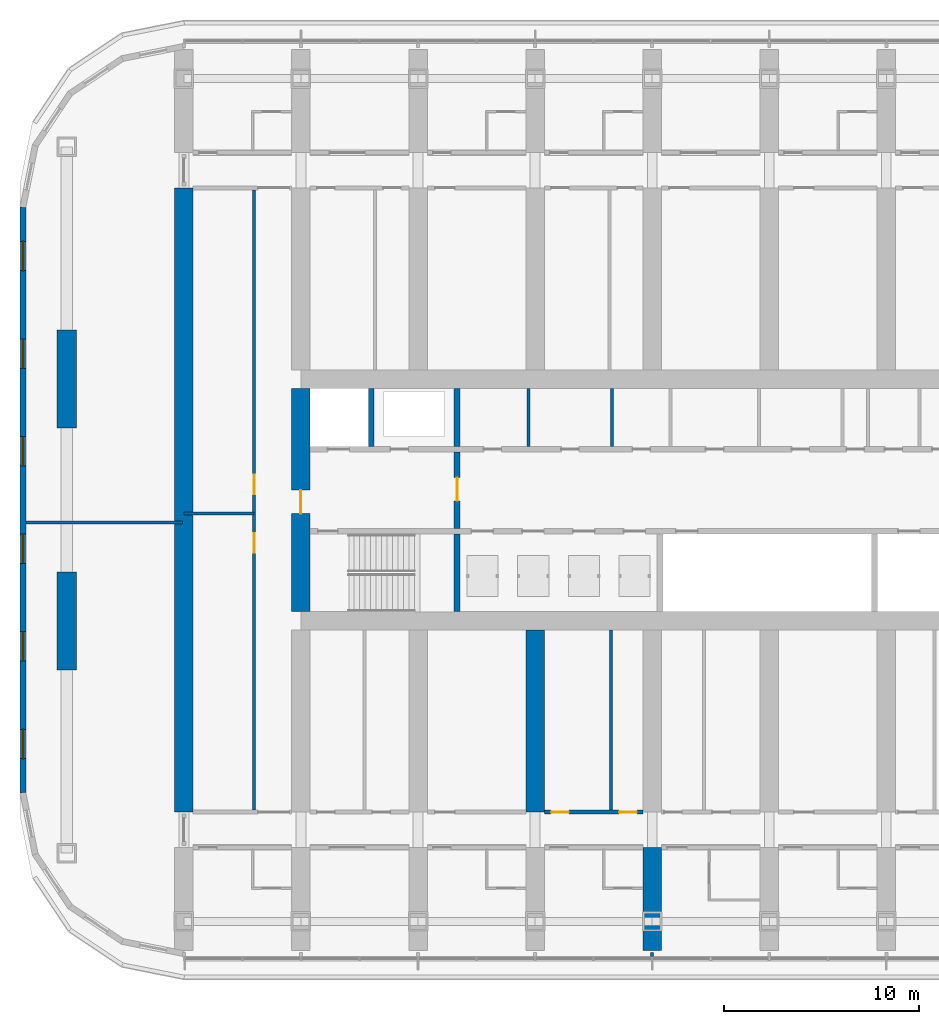
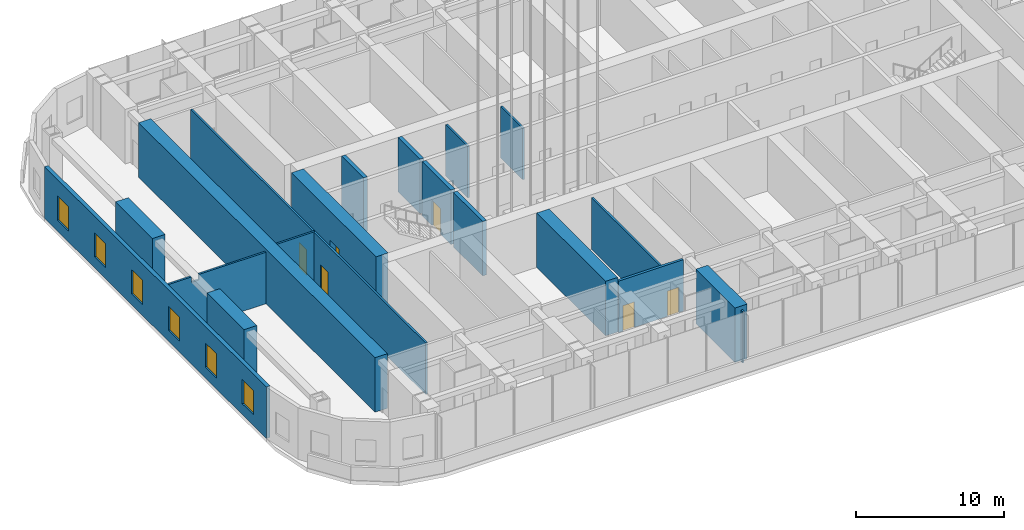
# One storey, part 8 of 31: 19 walls, 6 doors, 6 windows, 12 openings.
"""IFC4 building model written with IfcOpenShell, lengths in metres."""

from ifc_helpers import new_model, si_unit, direction, frame, frame_2d, origin, place, context, subcontext, project, spatial, polyline, rectangle, outline, extrude, material, layer, layer_set, type_object, element, fill, save


model = new_model("IFC4")

# Units and contexts
model_context = context("Model", 3, precision=1e-05, world=origin(), true_north=direction((0.0, 1.0)))
body_context = subcontext(model_context, "Body", "Model", "MODEL_VIEW")
ifc_project = project(units=[si_unit("LENGTHUNIT", "METRE"), si_unit("AREAUNIT", "SQUARE_METRE"), si_unit("VOLUMEUNIT", "CUBIC_METRE"), si_unit("PLANEANGLEUNIT", "RADIAN"), si_unit("MASSUNIT", "GRAM", prefix="KILO")], contexts=[model_context])

# Site, building, storey
site_placement = place(None, origin())
site = spatial("IfcSite", under=ifc_project, at=site_placement, CompositionType="ELEMENT")
building_placement = place(site_placement, origin())
building = spatial("IfcBuilding", under=site, at=building_placement, Name="Orbita Commons", CompositionType="ELEMENT")
storey_placement = place(building_placement, frame((0.0, 0.0, 76.14990234375)))
storey = spatial("IfcBuildingStorey", under=building, at=storey_placement, Name="L18", CompositionType="ELEMENT", Elevation=76.14990234375)

# Wall
ifc_material_1 = material(Name="Concrete C50/60", Category="concrete")
ifc_layer_1 = layer(ifc_material_1, 0.300048828125)
ifc_layer_set_1 = layer_set([ifc_layer_1], Name="Concrete C50/60")
wall_type_1 = type_object("IfcWallType", Name="Core inner wall 300 C50/60", PredefinedType="SHEAR", material=ifc_layer_set_1)
wall_1_placement = place(storey_placement, frame((26.0, 26.27490234375, 0.0), z_axis=(0.0, 0.0, 1.0), x_axis=(0.0, 1.0, 0.0)))
element("IfcWall", 1, at=wall_1_placement, inside=storey, type_object=wall_type_1, Name="Stair S1 wall L18", PredefinedType="SHEAR", context=body_context, shape_type="SweptSolid", body=[
    extrude(rectangle(XDim=3.97509765625, YDim=0.300048828125, at=frame_2d((1.987548828125, 0.0))), origin(), (0.0, 0.0, 1.0), 4.5),
])

# Wall, opening, door
wall_2_placement = place(storey_placement, frame((26.0, 30.550048828125, 0.0), z_axis=(0.0, 0.0, 1.0), x_axis=(0.0, 1.0, 0.0)))
wall_2 = element("IfcWall", 2, at=wall_2_placement, inside=storey, type_object=wall_type_1, Name="Firefighting lobby wall west L18", PredefinedType="SHEAR", context=body_context, shape_type="SweptSolid", body=[
    extrude(rectangle(XDim=3.89990234375, YDim=0.300048828125, at=frame_2d((1.949951171875, 0.0))), origin(), (0.0, 0.0, 1.0), 4.5),
])
opening_1_placement = place(wall_2_placement, frame((1.39990234375, 0.0, 0.0)))
opening_1 = element("IfcOpeningElement", 3, at=opening_1_placement, cuts=wall_2, Name="Opening D04", PredefinedType="OPENING", context=body_context, shape_type="SweptSolid", body=[
    extrude(rectangle(XDim=1.199951171875, YDim=2.10009765625, at=frame_2d((0.60009765625, 1.050048828125))), frame((0.0, 0.159912109375, 0.0), z_axis=(0.0, -1.0, 0.0), x_axis=(1.0, 0.0, 0.0)), (0.0, 0.0, 1.0), 0.320068359375),
])
ifc_material_2 = material(Name="Steel-faced fire door leaf", Category="steel")
door_type_1 = type_object("IfcDoorType", Name="Service door 20 min 1200x2100", OperationType="SINGLE_SWING_LEFT", PredefinedType="DOOR", material=ifc_material_2)
door_1_placement = place(opening_1_placement, origin())
door_1 = element("IfcDoor", 4, at=door_1_placement, inside=storey, type_object=door_type_1, Name="Lift lobby door west", OperationType="SINGLE_SWING_LEFT", OverallHeight=2.10009765625, OverallWidth=1.199951171875, PredefinedType="DOOR", context=body_context, shape_type="SweptSolid", body=[
    extrude(rectangle(XDim=1.199951171875, YDim=2.10009765625, at=frame_2d((0.60009765625, 1.050048828125))), frame((0.0, 0.02490234375, 0.0), z_axis=(0.0, -1.0, 0.0), x_axis=(1.0, 0.0, 0.0)), (0.0, 0.0, 1.0), 0.050048828125),
])
fill(opening_1, door_1)

# Walls
for number, where, z_axis, x_axis, name in (
    (5, (21.60009765625, 34.75, 0.0), (0.0, 0.0, 1.0), (0.0, 1.0, 0.0), "Firefighting lift FL1 shaft wall L18"),
    (6, (26.0, 34.75, 0.0), (0.0, 0.0, 1.0), (0.0, 1.0, 0.0), "Riser wall west L18"),
):
    element("IfcWall", number, at=place(storey_placement, frame(where, z_axis=z_axis, x_axis=x_axis)), inside=storey, type_object=wall_type_1, Name=name, PredefinedType="SHEAR", context=body_context, shape_type="SweptSolid", body=[
        extrude(rectangle(XDim=2.97509765625, YDim=0.300048828125, at=frame_2d((1.487548828125, 0.0))), origin(), (0.0, 0.0, 1.0), 4.5),
    ])
ifc_material_3 = material(Name="Concrete blockwork", Category="masonry")
ifc_layer_2 = layer(ifc_material_3, 0.14990234375)
ifc_layer_set_2 = layer_set([ifc_layer_2], Name="Concrete blockwork")
wall_type_2 = type_object("IfcWallType", Name="Core partition 150 blockwork", PredefinedType="SOLIDWALL", material=ifc_layer_set_2)
for number, where, z_axis, x_axis, name in (
    (7, (29.65087890625, 34.75, 0.0), (0.0, 0.0, 1.0), (0.0, 1.0, 0.0), "Core partition 150 blockwork L18"),
    (8, (33.9462890625, 34.75, 0.0), (0.0, 0.0, 1.0), (0.0, 1.0, 0.0), "Core partition 150 blockwork L18"),
):
    element("IfcWall", number, at=place(storey_placement, frame(where, z_axis=z_axis, x_axis=x_axis)), inside=storey, type_object=wall_type_2, Name=name, PredefinedType="SOLIDWALL", context=body_context, shape_type="SweptSolid", body=[
        extrude(rectangle(XDim=2.97509765625, YDim=0.14990234375, at=frame_2d((1.487548828125, 0.0))), origin(), (0.0, 0.0, 1.0), 4.25),
    ])

# Wall, opening, door
ifc_material_4 = material(Name="Concrete C50/60", Category="concrete")
ifc_layer_3 = layer(ifc_material_4, 0.949951171875)
ifc_layer_set_3 = layer_set([ifc_layer_3], Name="Concrete C50/60")
wall_type_3 = type_object("IfcWallType", Name="Core wall 950 C50/60", PredefinedType="SHEAR", material=ifc_layer_set_3)
wall_3_placement = place(storey_placement, frame((18.0, 26.27490234375, 0.0), z_axis=(0.0, 0.0, 1.0), x_axis=(0.0, 1.0, 0.0)))
wall_3 = element("IfcWall", 9, at=wall_3_placement, inside=storey, type_object=wall_type_3, Name="Core end wall west L18", PredefinedType="SHEAR", context=body_context, shape_type="SweptSolid", body=[
    extrude(rectangle(XDim=11.4501953125, YDim=0.949951171875, at=frame_2d((5.72509765625, 0.0))), origin(), (0.0, 0.0, 1.0), 4.5),
])
opening_2_placement = place(wall_3_placement, frame((5.02490234375, 0.0, 0.0)))
opening_2 = element("IfcOpeningElement", 10, at=opening_2_placement, cuts=wall_3, Name="Opening D01", PredefinedType="OPENING", context=body_context, shape_type="SweptSolid", body=[
    extrude(rectangle(XDim=1.199951171875, YDim=2.10009765625, at=frame_2d((0.60009765625, 1.050048828125))), frame((0.0, 0.48486328125, 0.0), z_axis=(0.0, -1.0, 0.0), x_axis=(1.0, 0.0, 0.0)), (0.0, 0.0, 1.0), 0.969970703125),
])
ifc_material_5 = material(Name="Steel-faced fire door leaf", Category="steel")
door_type_2 = type_object("IfcDoorType", Name="Fire door 90 min 1200x2100", OperationType="SINGLE_SWING_LEFT", PredefinedType="DOOR", material=ifc_material_5)
door_2_placement = place(opening_2_placement, origin())
door_2 = element("IfcDoor", 11, at=door_2_placement, inside=storey, type_object=door_type_2, Name="Firefighting lobby west door", OperationType="SINGLE_SWING_LEFT", OverallHeight=2.10009765625, OverallWidth=1.199951171875, PredefinedType="DOOR", context=body_context, shape_type="SweptSolid", body=[
    extrude(rectangle(XDim=1.199951171875, YDim=2.10009765625, at=frame_2d((0.60009765625, 1.050048828125))), frame((0.0, 0.02490234375, 0.0), z_axis=(0.0, -1.0, 0.0), x_axis=(1.0, 0.0, 0.0)), (0.0, 0.0, 1.0), 0.050048828125),
])
fill(opening_2, door_2)

# Wall, openings, doors
ifc_material_6 = material(Name="Hollow concrete block 200", Category="concrete")
ifc_layer_4 = layer(ifc_material_6, 0.199951171875)
ifc_layer_set_4 = layer_set([ifc_layer_4], Name="Hollow concrete block 200")
wall_type_4 = type_object("IfcWallType", Name="Corridor wall 200 hollow concrete block", PredefinedType="SOLIDWALL", material=ifc_layer_set_4)
wall_4_placement = place(storey_placement, frame((30.47509765625, 16.0, 0.0), z_axis=(0.0, 0.0, 1.0), x_axis=(1.0, 0.0, 0.0)))
wall_4 = element("IfcWall", 12, at=wall_4_placement, inside=storey, type_object=wall_type_4, Name="Corridor wall 200 hollow concrete block L18", PredefinedType="SOLIDWALL", context=body_context, shape_type="SweptSolid", body=[
    extrude(rectangle(XDim=5.0498046875, YDim=0.199951171875, at=frame_2d((2.52490234375, 0.0))), origin(), (0.0, 0.0, 1.0), 4.25),
])
opening_3_placement = place(wall_4_placement, frame((0.35009765625, 0.0, 0.0)))
opening_3 = element("IfcOpeningElement", 13, at=opening_3_placement, cuts=wall_4, Name="Opening D11", PredefinedType="OPENING", context=body_context, shape_type="SweptSolid", body=[
    extrude(rectangle(XDim=0.89990234375, YDim=2.10009765625, at=frame_2d((0.449951171875, 1.050048828125))), frame((0.0, 0.10986328125, 0.0), z_axis=(0.0, -1.0, 0.0), x_axis=(1.0, 0.0, 0.0)), (0.0, 0.0, 1.0), 0.219970703125),
])
opening_4_placement = place(wall_4_placement, frame((3.8349609375, 0.0, 0.0)))
opening_4 = element("IfcOpeningElement", 14, at=opening_4_placement, cuts=wall_4, Name="Opening D11", PredefinedType="OPENING", context=body_context, shape_type="SweptSolid", body=[
    extrude(rectangle(XDim=0.89990234375, YDim=2.10009765625, at=frame_2d((0.449951171875, 1.050048828125))), frame((0.0, 0.10986328125, 0.0), z_axis=(0.0, -1.0, 0.0), x_axis=(1.0, 0.0, 0.0)), (0.0, 0.0, 1.0), 0.219970703125),
])
ifc_material_7 = material(Name="Steel-faced fire door leaf", Category="steel")
door_type_3 = type_object("IfcDoorType", Name="Corridor door 20 min 900x2100", OperationType="SINGLE_SWING_LEFT", PredefinedType="DOOR", material=ifc_material_7)
door_3_placement = place(opening_3_placement, origin())
door_3 = element("IfcDoor", 15, at=door_3_placement, inside=storey, type_object=door_type_3, Name="Fitness room L18-BDS30 door", OperationType="SINGLE_SWING_LEFT", OverallHeight=2.10009765625, OverallWidth=0.89990234375, PredefinedType="DOOR", context=body_context, shape_type="SweptSolid", body=[
    extrude(rectangle(XDim=0.89990234375, YDim=2.10009765625, at=frame_2d((0.449951171875, 1.050048828125))), frame((0.0, 0.02490234375, 0.0), z_axis=(0.0, -1.0, 0.0), x_axis=(1.0, 0.0, 0.0)), (0.0, 0.0, 1.0), 0.050048828125),
])
fill(opening_3, door_3)
door_4_placement = place(opening_4_placement, origin())
door_4 = element("IfcDoor", 16, at=door_4_placement, inside=storey, type_object=door_type_3, Name="Paper and print store L18-BDS30n door", OperationType="SINGLE_SWING_LEFT", OverallHeight=2.10009765625, OverallWidth=0.89990234375, PredefinedType="DOOR", context=body_context, shape_type="SweptSolid", body=[
    extrude(rectangle(XDim=0.89990234375, YDim=2.10009765625, at=frame_2d((0.449951171875, 1.050048828125))), frame((0.0, 0.02490234375, 0.0), z_axis=(0.0, -1.0, 0.0), x_axis=(1.0, 0.0, 0.0)), (0.0, 0.0, 1.0), 0.050048828125),
])
fill(opening_4, door_4)

# Walls
ifc_material_8 = material(Name="Concrete C50/60", Category="concrete")
ifc_layer_5 = layer(ifc_material_8, 0.949951171875)
ifc_layer_set_5 = layer_set([ifc_layer_5], Name="Concrete C50/60")
wall_type_5 = type_object("IfcWallType", Name="Cross wall 950 C50/60", PredefinedType="SHEAR", material=ifc_layer_set_5)
wall_5_placement = place(storey_placement, frame((12.0, 16.0, 0.0), z_axis=(0.0, 0.0, 1.0), x_axis=(0.0, 1.0, 0.0)))
element("IfcWall", 17, at=wall_5_placement, inside=storey, type_object=wall_type_5, Name="Cross wall 3 inner L18", PredefinedType="SHEAR", context=body_context, shape_type="SweptSolid", body=[
    extrude(rectangle(XDim=32.0, YDim=0.949951171875, at=frame_2d((16.0, 0.0))), origin(), (0.0, 0.0, 1.0), 4.5),
])
wall_6_placement = place(storey_placement, frame((30.0, 16.0, 0.0), z_axis=(0.0, 0.0, 1.0), x_axis=(0.0, 1.0, 0.0)))
element("IfcWall", 18, at=wall_6_placement, inside=storey, type_object=wall_type_5, Name="Cross wall 6 south inner L18", PredefinedType="SHEAR", context=body_context, shape_type="SweptSolid", body=[
    extrude(rectangle(XDim=9.324951171875, YDim=0.949951171875, at=frame_2d((4.66259765625, 0.0))), origin(), (0.0, 0.0, 1.0), 4.5),
])
wall_7_placement = place(storey_placement, frame((36.0, 8.89990234375, 0.0), z_axis=(0.0, 0.0, 1.0), x_axis=(0.0, 1.0, 0.0)))
element("IfcWall", 19, at=wall_7_placement, inside=storey, type_object=wall_type_5, Name="Cross wall 7 south outer L18", PredefinedType="SHEAR", context=body_context, shape_type="SweptSolid", body=[
    extrude(rectangle(XDim=5.300048828125, YDim=0.949951171875, at=frame_2d((2.64990234375, 0.0))), origin(), (0.0, 0.0, 1.0), 4.5),
])
ifc_material_9 = material(Name="Concrete C50/60", Category="concrete")
ifc_layer_6 = layer(ifc_material_9, 1.0)
ifc_layer_set_6 = layer_set([ifc_layer_6], Name="Concrete C50/60")
wall_type_6 = type_object("IfcWallType", Name="End pier 1000x5000 C50/60", PredefinedType="SHEAR", material=ifc_layer_set_6)
for number, where, z_axis, x_axis, name in (
    (20, (6.0, 23.300048828125, 0.0), (0.0, 0.0, 1.0), (0.0, 1.0, 0.0), "End pier 2/C L18"),
    (21, (6.0, 35.699951171875, 0.0), (0.0, 0.0, 1.0), (0.0, 1.0, 0.0), "End pier 2/D L18"),
):
    element("IfcWall", number, at=place(storey_placement, frame(where, z_axis=z_axis, x_axis=x_axis)), inside=storey, type_object=wall_type_6, Name=name, PredefinedType="SHEAR", context=body_context, shape_type="SweptSolid", body=[
        extrude(rectangle(XDim=5.0, YDim=1.0, at=frame_2d((2.5, 0.0))), origin(), (0.0, 0.0, 1.0), 4.5),
    ])
ifc_material_10 = material(Name="Gypsum plasterboard on steel studs", Category="steel")
ifc_layer_7 = layer(ifc_material_10, 0.14990234375)
ifc_layer_set_7 = layer_set([ifc_layer_7], Name="Gypsum plasterboard on steel studs")
wall_type_7 = type_object("IfcWallType", Name="Partition 150 plasterboard", PredefinedType="PARTITIONING", material=ifc_layer_set_7)
wall_8_placement = place(storey_placement, frame((33.885009765625, 16.10009765625, 0.0), z_axis=(0.0, 0.0, 1.0), x_axis=(0.0, 1.0, 0.0)))
element("IfcWall", 22, at=wall_8_placement, inside=storey, type_object=wall_type_7, Name="Partition 150 plasterboard L18", PredefinedType="PARTITIONING", context=body_context, shape_type="SweptSolid", body=[
    extrude(rectangle(XDim=9.224853515625, YDim=0.14990234375, at=frame_2d((4.6123046875, 0.0))), origin(), (0.0, 0.0, 1.0), 4.25),
])

# Wall, openings, doors
wall_9_placement = place(storey_placement, frame((15.60009765625, 16.10009765625, 0.0), z_axis=(0.0, 0.0, 1.0), x_axis=(0.0, 1.0, 0.0)))
wall_9 = element("IfcWall", 23, at=wall_9_placement, inside=storey, type_object=wall_type_7, Name="Partition 150 plasterboard L18", PredefinedType="PARTITIONING", context=body_context, shape_type="SweptSolid", body=[
    extrude(rectangle(XDim=31.7998046875, YDim=0.14990234375, at=frame_2d((15.89990234375, 0.0))), origin(), (0.0, 0.0, 1.0), 4.25),
])
opening_5_placement = place(wall_9_placement, frame((13.199951171875, 0.0, 0.0)))
opening_5 = element("IfcOpeningElement", 24, at=opening_5_placement, cuts=wall_9, Name="Opening D06", PredefinedType="OPENING", context=body_context, shape_type="SweptSolid", body=[
    extrude(rectangle(XDim=1.0, YDim=2.10009765625, at=frame_2d((0.5, 1.050048828125))), frame((0.0, 0.0849609375, 0.0), z_axis=(0.0, -1.0, 0.0), x_axis=(1.0, 0.0, 0.0)), (0.0, 0.0, 1.0), 0.169921875),
])
opening_6_placement = place(wall_9_placement, frame((16.199951171875, 0.0, 0.0)))
opening_6 = element("IfcOpeningElement", 25, at=opening_6_placement, cuts=wall_9, Name="Opening D06", PredefinedType="OPENING", context=body_context, shape_type="SweptSolid", body=[
    extrude(rectangle(XDim=1.0, YDim=2.10009765625, at=frame_2d((0.5, 1.050048828125))), frame((0.0, 0.0849609375, 0.0), z_axis=(0.0, -1.0, 0.0), x_axis=(1.0, 0.0, 0.0)), (0.0, 0.0, 1.0), 0.169921875),
])
ifc_material_11 = material(Name="Steel-faced fire door leaf", Category="steel")
door_type_4 = type_object("IfcDoorType", Name="Corridor door 20 min 1000x2100", OperationType="SINGLE_SWING_LEFT", PredefinedType="DOOR", material=ifc_material_11)
door_5_placement = place(opening_5_placement, origin())
door_5 = element("IfcDoor", 26, at=door_5_placement, inside=storey, type_object=door_type_4, Name="Quiet room door", OperationType="SINGLE_SWING_LEFT", OverallHeight=2.10009765625, OverallWidth=1.0, PredefinedType="DOOR", context=body_context, shape_type="SweptSolid", body=[
    extrude(rectangle(XDim=1.0, YDim=2.10009765625, at=frame_2d((0.5, 1.050048828125))), frame((0.0, 0.02490234375, 0.0), z_axis=(0.0, -1.0, 0.0), x_axis=(1.0, 0.0, 0.0)), (0.0, 0.0, 1.0), 0.050048828125),
])
fill(opening_5, door_5)
door_6_placement = place(opening_6_placement, origin())
door_6 = element("IfcDoor", 27, at=door_6_placement, inside=storey, type_object=door_type_4, Name="Prayer room door", OperationType="SINGLE_SWING_LEFT", OverallHeight=2.10009765625, OverallWidth=1.0, PredefinedType="DOOR", context=body_context, shape_type="SweptSolid", body=[
    extrude(rectangle(XDim=1.0, YDim=2.10009765625, at=frame_2d((0.5, 1.050048828125))), frame((0.0, 0.02490234375, 0.0), z_axis=(0.0, -1.0, 0.0), x_axis=(1.0, 0.0, 0.0)), (0.0, 0.0, 1.0), 0.050048828125),
])
fill(opening_6, door_6)

# Walls
wall_10_placement = place(storey_placement, frame((12.0, 31.300048828125, 0.0), z_axis=(0.0, 0.0, 1.0), x_axis=(1.0, 0.0, 0.0)))
element("IfcWall", 28, at=wall_10_placement, inside=storey, type_object=wall_type_7, Name="Partition 150 plasterboard L18", PredefinedType="PARTITIONING", context=body_context, shape_type="SweptSolid", body=[
    extrude(rectangle(XDim=3.60009765625, YDim=0.14990234375, at=frame_2d((1.800048828125, 0.0))), origin(), (0.0, 0.0, 1.0), 4.25),
])
wall_11_placement = place(storey_placement, frame((3.905029296875, 30.85009765625, 0.0), z_axis=(0.0, 0.0, 1.0), x_axis=(1.0, 0.0, 0.0)))
element("IfcWall", 29, at=wall_11_placement, inside=storey, type_object=wall_type_7, Name="Partition 150 plasterboard L18", PredefinedType="PARTITIONING", context=body_context, shape_type="SweptSolid", body=[
    extrude(outline(polyline([(0.0, 0.0), (8.02001953125, 0.0), (8.02001953125, 4.25), (2.39697265625, 4.25), (2.39501953125, 3.800048828125), (1.797119140625, 3.800048828125), (1.794921875, 4.25), (0.0, 4.25), (0.0, 0.0)])), frame((0.0, 0.074951171875, 0.0), z_axis=(0.0, -1.0, 0.0), x_axis=(1.0, 0.0, 0.0)), (0.0, 0.0, 1.0), 0.14990234375),
])
wall_12_placement = place(storey_placement, frame((36.0, 8.800048828125, 0.0), z_axis=(0.0, 0.0, 1.0), x_axis=(0.0, -1.0, 0.0)))
element("IfcWall", 30, at=wall_12_placement, inside=storey, type_object=wall_type_7, Name="Partition 150 plasterboard L18", PredefinedType="PARTITIONING", context=body_context, shape_type="SweptSolid", body=[
    extrude(rectangle(XDim=0.18994140625, YDim=0.14990234375, at=frame_2d((0.094970703125, 0.0))), origin(), (0.0, 0.0, 1.0), 4.25),
])

# Wall, openings, windows
ifc_material_12 = material(Name="Precast concrete C40/50, white board-marked finish", Category="concrete")
ifc_layer_8 = layer(ifc_material_12, 0.300048828125)
ifc_layer_set_8 = layer_set([ifc_layer_8], Name="Precast concrete C40/50, white board-marked finish")
wall_type_8 = type_object("IfcWallType", Name="Precast concrete end shield 300", PredefinedType="SOLIDWALL", material=ifc_layer_set_8)
wall_13_placement = place(storey_placement, frame((3.75, 47.0, 0.0), z_axis=(0.0, 0.0, 1.0), x_axis=(0.0, -1.0, 0.0)))
wall_13 = element("IfcWall", 31, at=wall_13_placement, inside=storey, type_object=wall_type_8, Name="End shield W L18", PredefinedType="SOLIDWALL", context=body_context, shape_type="SweptSolid", body=[
    extrude(outline(polyline([(-0.014892578125, -0.14990234375), (30.014892578125, -0.14990234375), (29.985107421875, 0.14990234375), (0.014892578125, 0.14990234375), (-0.014892578125, -0.14990234375)])), origin(), (0.0, 0.0, 1.0), 4.25),
])
opening_7_placement = place(wall_13_placement, frame((1.75, 0.0, 0.89990234375)))
opening_7 = element("IfcOpeningElement", 32, at=opening_7_placement, cuts=wall_13, Name="Opening W01", PredefinedType="OPENING", context=body_context, shape_type="SweptSolid", body=[
    extrude(rectangle(XDim=1.5, YDim=2.0, at=frame_2d((0.75, 1.0))), frame((0.0, 0.159912109375, 0.0), z_axis=(0.0, -1.0, 0.0), x_axis=(1.0, 0.0, 0.0)), (0.0, 0.0, 1.0), 0.320068359375),
])
opening_8_placement = place(wall_13_placement, frame((6.75, 0.0, 0.89990234375)))
opening_8 = element("IfcOpeningElement", 33, at=opening_8_placement, cuts=wall_13, Name="Opening W01", PredefinedType="OPENING", context=body_context, shape_type="SweptSolid", body=[
    extrude(rectangle(XDim=1.5, YDim=2.0, at=frame_2d((0.75, 1.0))), frame((0.0, 0.159912109375, 0.0), z_axis=(0.0, -1.0, 0.0), x_axis=(1.0, 0.0, 0.0)), (0.0, 0.0, 1.0), 0.320068359375),
])
opening_9_placement = place(wall_13_placement, frame((11.75, 0.0, 0.89990234375)))
opening_9 = element("IfcOpeningElement", 34, at=opening_9_placement, cuts=wall_13, Name="Opening W01", PredefinedType="OPENING", context=body_context, shape_type="SweptSolid", body=[
    extrude(rectangle(XDim=1.5, YDim=2.0, at=frame_2d((0.75, 1.0))), frame((0.0, 0.159912109375, 0.0), z_axis=(0.0, -1.0, 0.0), x_axis=(1.0, 0.0, 0.0)), (0.0, 0.0, 1.0), 0.320068359375),
])
opening_10_placement = place(wall_13_placement, frame((16.75, 0.0, 0.89990234375)))
opening_10 = element("IfcOpeningElement", 35, at=opening_10_placement, cuts=wall_13, Name="Opening W01", PredefinedType="OPENING", context=body_context, shape_type="SweptSolid", body=[
    extrude(rectangle(XDim=1.5, YDim=2.0, at=frame_2d((0.75, 1.0))), frame((0.0, 0.159912109375, 0.0), z_axis=(0.0, -1.0, 0.0), x_axis=(1.0, 0.0, 0.0)), (0.0, 0.0, 1.0), 0.320068359375),
])
opening_11_placement = place(wall_13_placement, frame((21.75, 0.0, 0.89990234375)))
opening_11 = element("IfcOpeningElement", 36, at=opening_11_placement, cuts=wall_13, Name="Opening W01", PredefinedType="OPENING", context=body_context, shape_type="SweptSolid", body=[
    extrude(rectangle(XDim=1.5, YDim=2.0, at=frame_2d((0.75, 1.0))), frame((0.0, 0.159912109375, 0.0), z_axis=(0.0, -1.0, 0.0), x_axis=(1.0, 0.0, 0.0)), (0.0, 0.0, 1.0), 0.320068359375),
])
opening_12_placement = place(wall_13_placement, frame((26.75, 0.0, 0.89990234375)))
opening_12 = element("IfcOpeningElement", 37, at=opening_12_placement, cuts=wall_13, Name="Opening W01", PredefinedType="OPENING", context=body_context, shape_type="SweptSolid", body=[
    extrude(rectangle(XDim=1.5, YDim=2.0, at=frame_2d((0.75, 1.0))), frame((0.0, 0.159912109375, 0.0), z_axis=(0.0, -1.0, 0.0), x_axis=(1.0, 0.0, 0.0)), (0.0, 0.0, 1.0), 0.320068359375),
])
ifc_material_13 = material(Name="Aluminium frame, clear double glazing", Category="aluminium")
window_type = type_object("IfcWindowType", Name="Deep-set window 1500x2000", PartitioningType="SINGLE_PANEL", PredefinedType="WINDOW", material=ifc_material_13)
window_1_placement = place(opening_7_placement, origin())
window_1 = element("IfcWindow", 38, at=window_1_placement, inside=storey, type_object=window_type, Name="Window L18-W 1", OverallHeight=2.0, OverallWidth=1.5, PartitioningType="SINGLE_PANEL", PredefinedType="WINDOW", context=body_context, shape_type="SweptSolid", body=[
    extrude(rectangle(XDim=1.5, YDim=2.0, at=frame_2d((0.75, 1.0))), frame((0.0, 0.030029296875, 0.0), z_axis=(0.0, -1.0, 0.0), x_axis=(1.0, 0.0, 0.0)), (0.0, 0.0, 1.0), 0.06005859375),
])
fill(opening_7, window_1)
window_2_placement = place(opening_8_placement, origin())
window_2 = element("IfcWindow", 39, at=window_2_placement, inside=storey, type_object=window_type, Name="Window L18-W 2", OverallHeight=2.0, OverallWidth=1.5, PartitioningType="SINGLE_PANEL", PredefinedType="WINDOW", context=body_context, shape_type="SweptSolid", body=[
    extrude(rectangle(XDim=1.5, YDim=2.0, at=frame_2d((0.75, 1.0))), frame((0.0, 0.030029296875, 0.0), z_axis=(0.0, -1.0, 0.0), x_axis=(1.0, 0.0, 0.0)), (0.0, 0.0, 1.0), 0.06005859375),
])
fill(opening_8, window_2)
window_3_placement = place(opening_9_placement, origin())
window_3 = element("IfcWindow", 40, at=window_3_placement, inside=storey, type_object=window_type, Name="Window L18-W 3", OverallHeight=2.0, OverallWidth=1.5, PartitioningType="SINGLE_PANEL", PredefinedType="WINDOW", context=body_context, shape_type="SweptSolid", body=[
    extrude(rectangle(XDim=1.5, YDim=2.0, at=frame_2d((0.75, 1.0))), frame((0.0, 0.030029296875, 0.0), z_axis=(0.0, -1.0, 0.0), x_axis=(1.0, 0.0, 0.0)), (0.0, 0.0, 1.0), 0.06005859375),
])
fill(opening_9, window_3)
window_4_placement = place(opening_10_placement, origin())
window_4 = element("IfcWindow", 41, at=window_4_placement, inside=storey, type_object=window_type, Name="Window L18-W 4", OverallHeight=2.0, OverallWidth=1.5, PartitioningType="SINGLE_PANEL", PredefinedType="WINDOW", context=body_context, shape_type="SweptSolid", body=[
    extrude(rectangle(XDim=1.5, YDim=2.0, at=frame_2d((0.75, 1.0))), frame((0.0, 0.030029296875, 0.0), z_axis=(0.0, -1.0, 0.0), x_axis=(1.0, 0.0, 0.0)), (0.0, 0.0, 1.0), 0.06005859375),
])
fill(opening_10, window_4)
window_5_placement = place(opening_11_placement, origin())
window_5 = element("IfcWindow", 42, at=window_5_placement, inside=storey, type_object=window_type, Name="Window L18-W 5", OverallHeight=2.0, OverallWidth=1.5, PartitioningType="SINGLE_PANEL", PredefinedType="WINDOW", context=body_context, shape_type="SweptSolid", body=[
    extrude(rectangle(XDim=1.5, YDim=2.0, at=frame_2d((0.75, 1.0))), frame((0.0, 0.030029296875, 0.0), z_axis=(0.0, -1.0, 0.0), x_axis=(1.0, 0.0, 0.0)), (0.0, 0.0, 1.0), 0.06005859375),
])
fill(opening_11, window_5)
window_6_placement = place(opening_12_placement, origin())
window_6 = element("IfcWindow", 43, at=window_6_placement, inside=storey, type_object=window_type, Name="Window L18-W 6", OverallHeight=2.0, OverallWidth=1.5, PartitioningType="SINGLE_PANEL", PredefinedType="WINDOW", context=body_context, shape_type="SweptSolid", body=[
    extrude(rectangle(XDim=1.5, YDim=2.0, at=frame_2d((0.75, 1.0))), frame((0.0, 0.030029296875, 0.0), z_axis=(0.0, -1.0, 0.0), x_axis=(1.0, 0.0, 0.0)), (0.0, 0.0, 1.0), 0.06005859375),
])
fill(opening_12, window_6)

save(model, "model.ifc")
